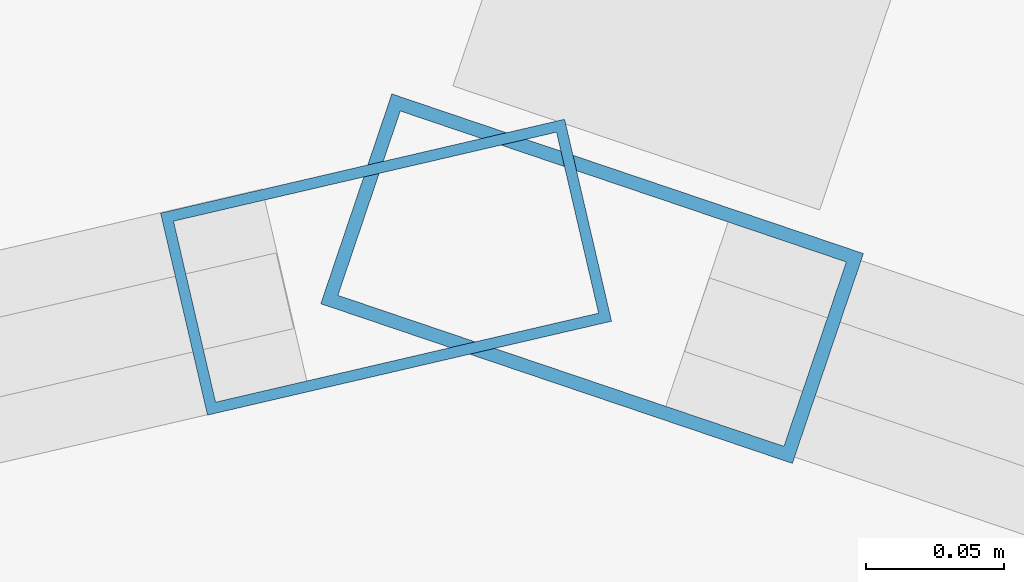
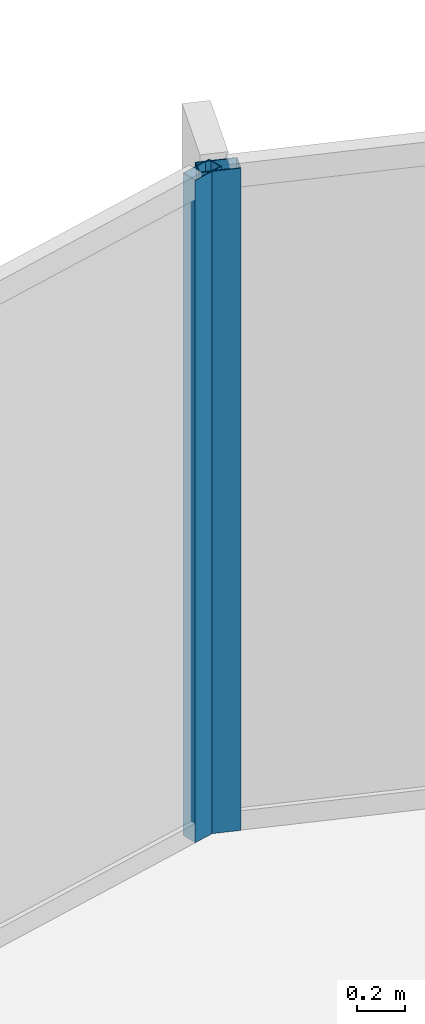
# One storey, part 23 of 32: 2 members, 2 elements without a shape of their own.
"""IFC4 building model written with IfcOpenShell, lengths in metres."""

from ifc_helpers import new_model, si_unit, direction, frame, origin, origin_2d, place, context, subcontext, project, spatial, hollow_rectangle, extrude, material, layer, layer_set, material_profile, profile_set, type_object, element, aggregate, save


model = new_model("IFC4")

# Units and contexts
model_context = context("Model", 3, precision=1e-05, world=origin(), true_north=direction((0.0, 1.0)))
body_context = subcontext(model_context, "Body", "Model", "MODEL_VIEW")
ifc_project = project(units=[si_unit("LENGTHUNIT", "METRE"), si_unit("AREAUNIT", "SQUARE_METRE"), si_unit("VOLUMEUNIT", "CUBIC_METRE"), si_unit("PLANEANGLEUNIT", "RADIAN"), si_unit("MASSUNIT", "GRAM", prefix="KILO")], contexts=[model_context])

# Site, building, storey
site_placement = place(None, origin())
site = spatial("IfcSite", under=ifc_project, at=site_placement, CompositionType="ELEMENT")
building_placement = place(site_placement, origin())
building = spatial("IfcBuilding", under=site, at=building_placement, Name="Kazevale Care Tower and Concert Hall", CompositionType="ELEMENT")
storey_placement = place(building_placement, frame((0.0, 0.0, 85.199951171875)))
storey = spatial("IfcBuildingStorey", under=building, at=storey_placement, Name="L22", CompositionType="ELEMENT", Elevation=85.199951171875)

# Curtain wall, member
ifc_material_1 = material(Name="Aluminium 6063-T6 and Low-E Glass", Category="aluminium")
ifc_layer_1 = layer(ifc_material_1, 0.179931640625)
ifc_layer_set_1 = layer_set([ifc_layer_1], Name="Aluminium 6063-T6 and Low-E Glass")
curtain_wall_type_1 = type_object("IfcCurtainWallType", Name="Convex Checkerboard Finned Curtain Wall CW-2", PredefinedType="NOTDEFINED", material=ifc_layer_set_1)
curtain_wall_1_placement = place(storey_placement, origin())
curtain_wall_1 = element("IfcCurtainWall", 1, at=curtain_wall_1_placement, inside=storey, type_object=curtain_wall_type_1, Name="cw:L22:f16", PredefinedType="NOTDEFINED")
ifc_material_2 = material(Name="Aluminium 6063-T6", Category="aluminium")
ifc_material_profile_1 = material_profile(ifc_material_2, hollow_rectangle(XDim=0.080078125, YDim=0.179931640625, WallThickness=0.0048828125, at=origin_2d()), Name="ALU80x180x5")
ifc_profile_set_1 = profile_set([ifc_material_profile_1], Name="Aluminium 6063-T6")
member_type_1 = type_object("IfcMemberType", Name="CW-2 Mullion ALU80x180x5", PredefinedType="MULLION", material=ifc_profile_set_1)
member_1_placement = place(storey_placement, frame((44.993896484375, 66.1552734375, 0.0), z_axis=(0.0, 0.0, 1.0), x_axis=(0.320635577685, 0.947202632135, 0.0)))
member_1 = element("IfcMember", 2, at=member_1_placement, type_object=member_type_1, Name="CW-2 mullion 1", PredefinedType="MULLION", context=body_context, shape_type="SweptSolid", body=[
    extrude(hollow_rectangle(XDim=0.080078125, YDim=0.179931640625, WallThickness=0.0048828125, at=origin_2d()), origin(), (0.0, 0.0, 1.0), 3.360107421875),
])
aggregate(curtain_wall_1, [member_1])

ifc_layer_2 = layer(ifc_material_1, 0.179931640625)
ifc_layer_set_2 = layer_set([ifc_layer_2], Name="Aluminium 6063-T6 and Low-E Glass")
curtain_wall_type_2 = type_object("IfcCurtainWallType", Name="Convex Recessed Sunroom Curtain Wall CW-3", PredefinedType="NOTDEFINED", material=ifc_layer_set_2)
curtain_wall_2_placement = place(storey_placement, origin())
curtain_wall_2 = element("IfcCurtainWall", 3, at=curtain_wall_2_placement, inside=storey, type_object=curtain_wall_type_2, Name="cw:L22:f15", PredefinedType="NOTDEFINED")
ifc_material_profile_2 = material_profile(ifc_material_2, hollow_rectangle(XDim=0.074951171875, YDim=0.14990234375, WallThickness=0.00390625, at=origin_2d()), Name="ALU75x150x4")
ifc_profile_set_2 = profile_set([ifc_material_profile_2], Name="Aluminium 6063-T6")
member_type_2 = type_object("IfcMemberType", Name="CW-3 Mullion ALU75x150x4", PredefinedType="MULLION", material=ifc_profile_set_2)
member_2_placement = place(storey_placement, frame((44.91943359375, 66.159423828125, 0.0), z_axis=(0.0, 0.0, 1.0), x_axis=(-0.226287348061, 0.9740605916, 0.0)))
member_2 = element("IfcMember", 4, at=member_2_placement, type_object=member_type_2, Name="CW-3 mullion 2", PredefinedType="MULLION", context=body_context, shape_type="SweptSolid", body=[
    extrude(hollow_rectangle(XDim=0.074951171875, YDim=0.14990234375, WallThickness=0.00390625, at=origin_2d()), origin(), (0.0, 0.0, 1.0), 3.360107421875),
])
aggregate(curtain_wall_2, [member_2])

save(model, "model.ifc")
